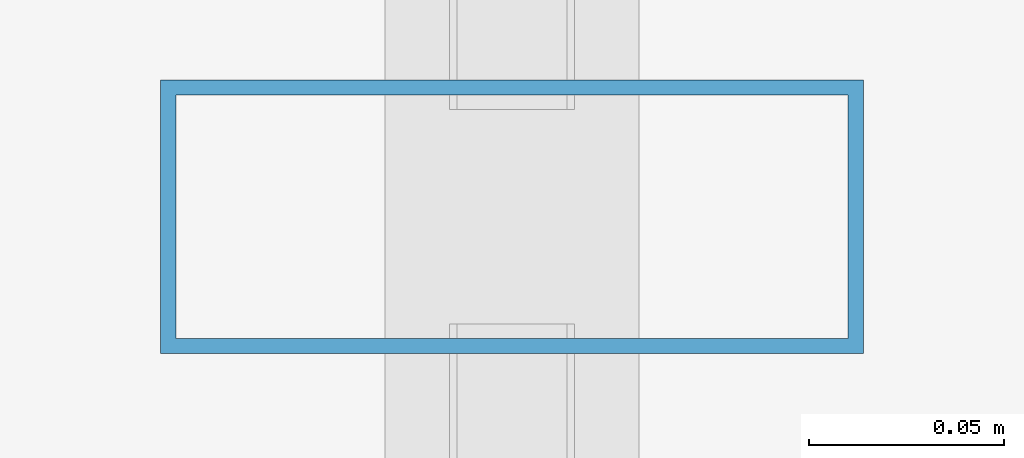
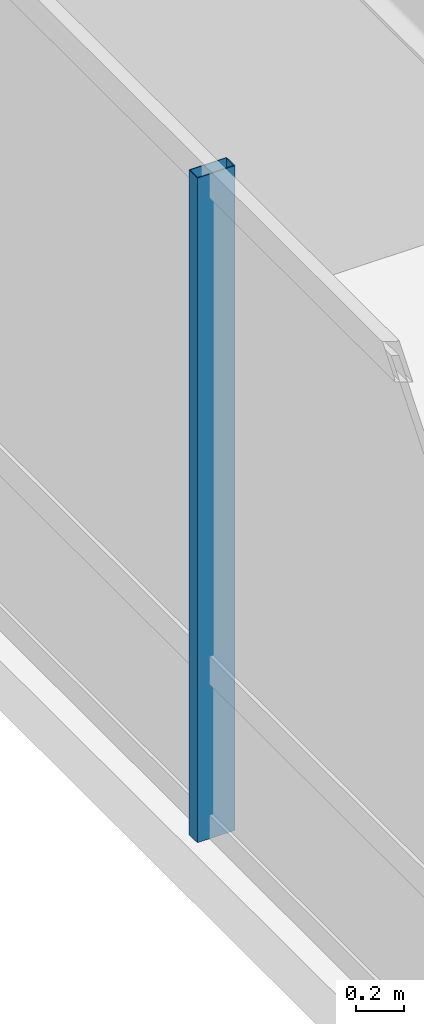
# One storey, part 13 of 30: 1 member, 1 element without a shape of its own.
"""IFC4 building model written with IfcOpenShell, lengths in metres."""

from ifc_helpers import new_model, si_unit, direction, frame, origin, origin_2d, place, context, subcontext, project, spatial, hollow_rectangle, extrude, material, layer, layer_set, material_profile, profile_set, type_object, element, aggregate, save


model = new_model("IFC4")

# Units and contexts
model_context = context("Model", 3, precision=1e-05, world=origin(), true_north=direction((0.0, 1.0)))
body_context = subcontext(model_context, "Body", "Model", "MODEL_VIEW")
ifc_project = project(units=[si_unit("LENGTHUNIT", "METRE"), si_unit("AREAUNIT", "SQUARE_METRE"), si_unit("VOLUMEUNIT", "CUBIC_METRE"), si_unit("PLANEANGLEUNIT", "RADIAN"), si_unit("MASSUNIT", "GRAM", prefix="KILO")], contexts=[model_context])

# Site, building, storey
site_placement = place(None, origin())
site = spatial("IfcSite", under=ifc_project, at=site_placement, CompositionType="ELEMENT")
building_placement = place(site_placement, origin())
building = spatial("IfcBuilding", under=site, at=building_placement, Name="Hatsunagi Terrace Concourse", CompositionType="ELEMENT")
storey_placement = place(building_placement, frame((0.0, 0.0, 101.25)))
storey = spatial("IfcBuildingStorey", under=building, at=storey_placement, Name="L26", CompositionType="ELEMENT", Elevation=101.25)

# Curtain wall, member
ifc_material_1 = material(Name="Anodised Aluminium Alloy 6063-T5", Category="aluminium")
ifc_layer = layer(ifc_material_1, 0.199951171875)
ifc_layer_set = layer_set([ifc_layer], Name="OfficeZone1_CW03")
curtain_wall_type = type_object("IfcCurtainWallType", Name="OfficeZone1_CW03", PredefinedType="NOTDEFINED", material=ifc_layer_set)
curtain_wall_placement = place(storey_placement, origin())
curtain_wall = element("IfcCurtainWall", 1, at=curtain_wall_placement, inside=storey, type_object=curtain_wall_type, Name="Unitised Curtain Wall CW-03 CW-L26-09", PredefinedType="NOTDEFINED")
ifc_material_2 = material(Name="Anodised Aluminium Alloy 6063-T5", Category="aluminium")
ifc_material_profile = material_profile(ifc_material_2, hollow_rectangle(XDim=0.070068359375, YDim=0.179931640625, WallThickness=0.00390625, at=origin_2d()), Name="ALU-MUL-180x70x4")
ifc_profile_set = profile_set([ifc_material_profile], Name="Anodised Aluminium Alloy 6063-T5")
member_type = type_object("IfcMemberType", Name="CurtainWallMullion_180x70", PredefinedType="MULLION", material=ifc_profile_set)
member_placement = place(storey_placement, frame((9.739990234375, 36.89990234375, 0.0), z_axis=(0.0, 0.0, 1.0), x_axis=(0.0, 1.0, 0.0)))
member = element("IfcMember", 2, at=member_placement, type_object=member_type, Name="Curtain Wall Mullion MUL-02", PredefinedType="MULLION", context=body_context, shape_type="SweptSolid", body=[
    extrude(hollow_rectangle(XDim=0.070068359375, YDim=0.179931640625, WallThickness=0.00390625, at=origin_2d()), origin(), (0.0, 0.0, 1.0), 3.35009765625),
])
aggregate(curtain_wall, [member])

save(model, "model.ifc")
